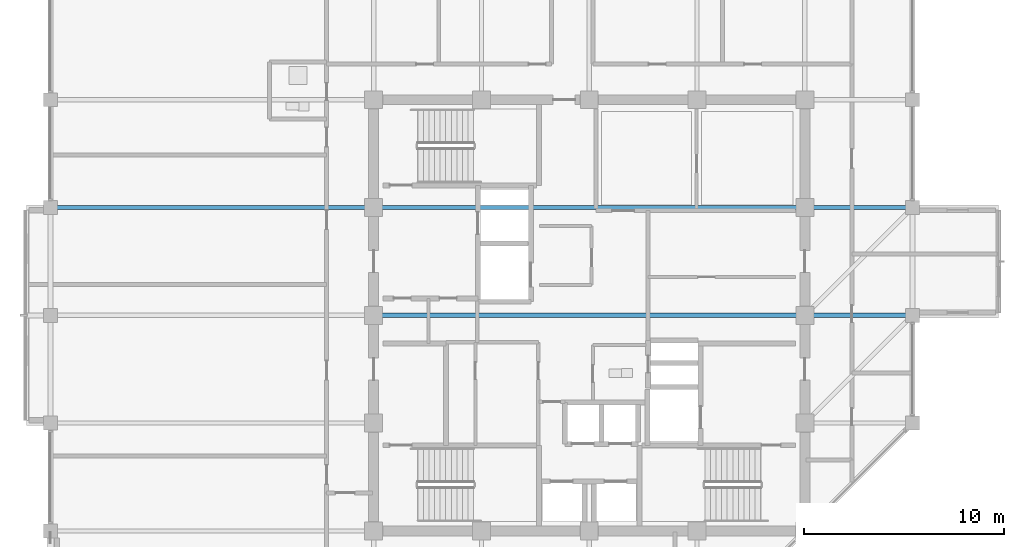
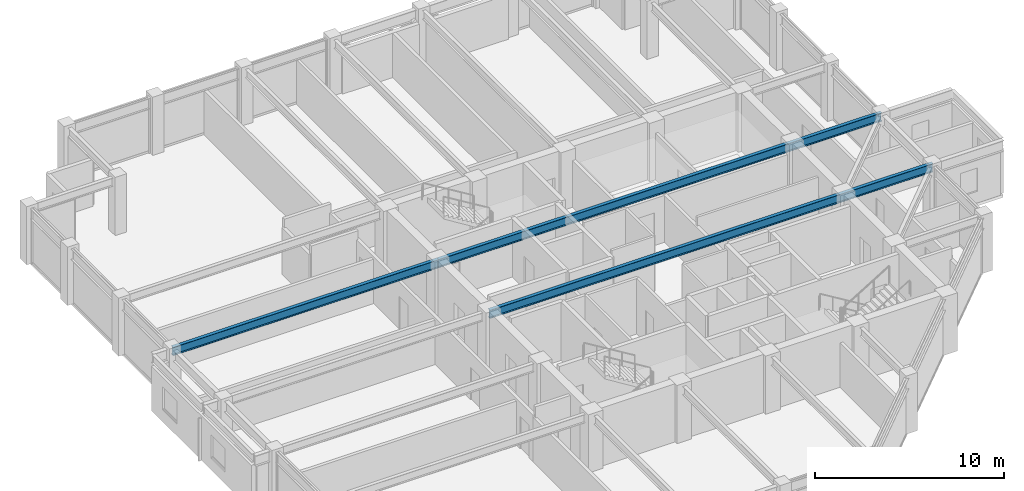
# One storey, part 9 of 30: 3 beams.
"""IFC4 building model written with IfcOpenShell, lengths in metres."""

from ifc_helpers import new_model, si_unit, direction, frame, origin, origin_2d, place, context, subcontext, project, spatial, i_section, extrude, material, material_profile, profile_set, type_object, element, save


model = new_model("IFC4")

# Units and contexts
model_context = context("Model", 3, precision=1e-05, world=origin(), true_north=direction((0.0, 1.0)))
body_context = subcontext(model_context, "Body", "Model", "MODEL_VIEW")
ifc_project = project(units=[si_unit("LENGTHUNIT", "METRE"), si_unit("AREAUNIT", "SQUARE_METRE"), si_unit("VOLUMEUNIT", "CUBIC_METRE"), si_unit("PLANEANGLEUNIT", "RADIAN"), si_unit("MASSUNIT", "GRAM", prefix="KILO")], contexts=[model_context])

# Site, building, storey
site_placement = place(None, origin())
site = spatial("IfcSite", under=ifc_project, at=site_placement, CompositionType="ELEMENT")
building_placement = place(site_placement, origin())
building = spatial("IfcBuilding", under=site, at=building_placement, Name="Surkhivell Harbour Commons", CompositionType="ELEMENT")
storey_placement = place(building_placement, frame((0.0, 0.0, 307.5)))
storey = spatial("IfcBuildingStorey", under=building, at=storey_placement, Name="L80", CompositionType="ELEMENT", Elevation=307.5)

# Beams
ifc_material = material(Name="Steel S355", Category="steel")
ifc_material_profile = material_profile(ifc_material, i_section(OverallWidth=0.2099609375, OverallDepth=0.537109375, WebThickness=0.0107421875, FlangeThickness=0.017333984375, at=origin_2d()), Name="UB533x210x101")
ifc_profile_set = profile_set([ifc_material_profile], Name="Steel S355")
beam_type = type_object("IfcBeamType", Name="BM-GRD-533B", PredefinedType="BEAM", material=ifc_profile_set)
for number, where, z_axis, x_axis, name in (
    (1, (-10.800048828125, 0.0, 3.301513671875), (1.0, 0.0, 0.0), (0.0, 1.0, 0.0), "L80 Cantilever Back-Span Girder (-10.8,0.0)"),
    (2, (-10.800048828125, 5.39990234375, 3.301513671875), (1.0, 0.0, 0.0), (0.0, 1.0, 0.0), "L80 Cantilever Back-Span Girder (-10.8,5.4)"),
):
    element("IfcBeam", number, at=place(storey_placement, frame(where, z_axis=z_axis, x_axis=x_axis)), inside=storey, type_object=beam_type, Name=name, PredefinedType="BEAM", context=body_context, shape_type="SweptSolid", body=[
        extrude(i_section(OverallWidth=0.2099609375, OverallDepth=0.537109375, WebThickness=0.0107421875, FlangeThickness=0.017333984375, at=origin_2d()), origin(), (0.0, 0.0, 1.0), 27.0),
    ])
beam_placement = place(storey_placement, frame((-27.0, 5.39990234375, 3.301513671875), z_axis=(1.0, 0.0, 0.0), x_axis=(0.0, 1.0, 0.0)))
element("IfcBeam", 3, at=beam_placement, inside=storey, type_object=beam_type, Name="L80 Floor Girder (-27.0,5.4)", PredefinedType="BEAM", context=body_context, shape_type="SweptSolid", body=[
    extrude(i_section(OverallWidth=0.2099609375, OverallDepth=0.537109375, WebThickness=0.0107421875, FlangeThickness=0.017333984375, at=origin_2d()), origin(), (0.0, 0.0, 1.0), 16.199951171875),
])

save(model, "model.ifc")
